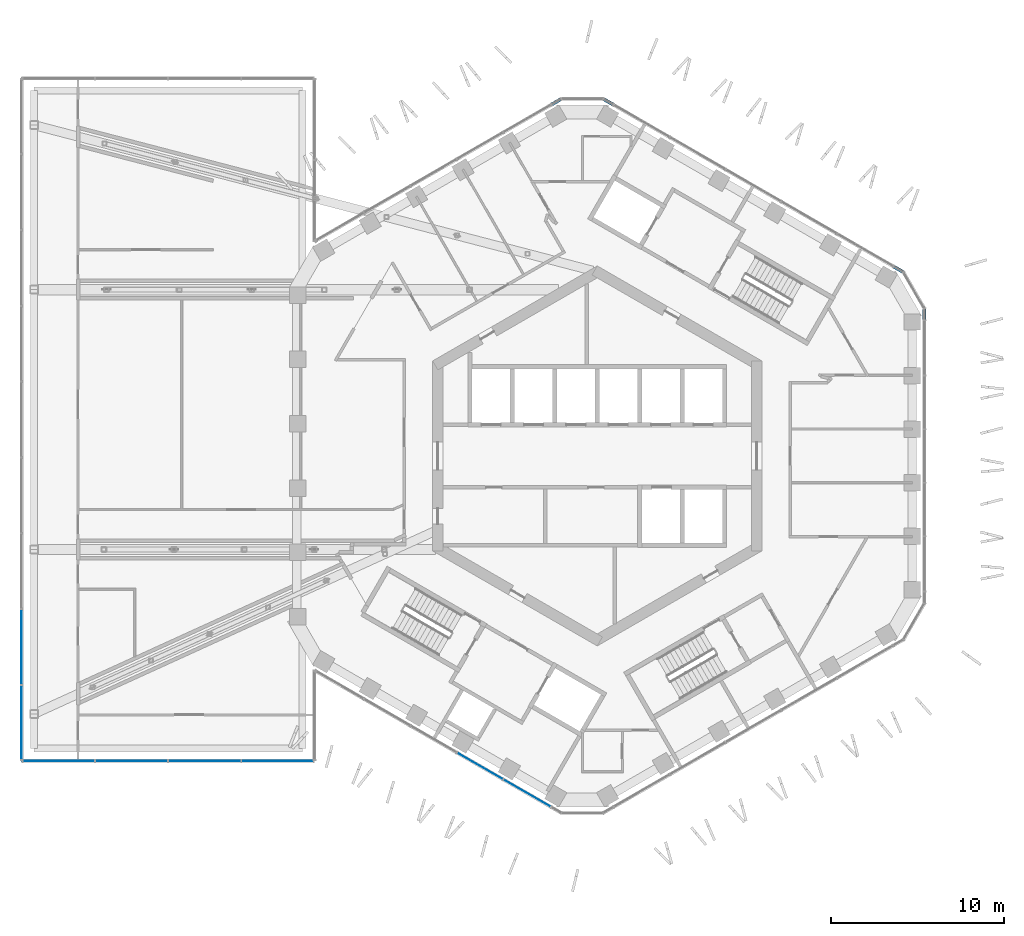
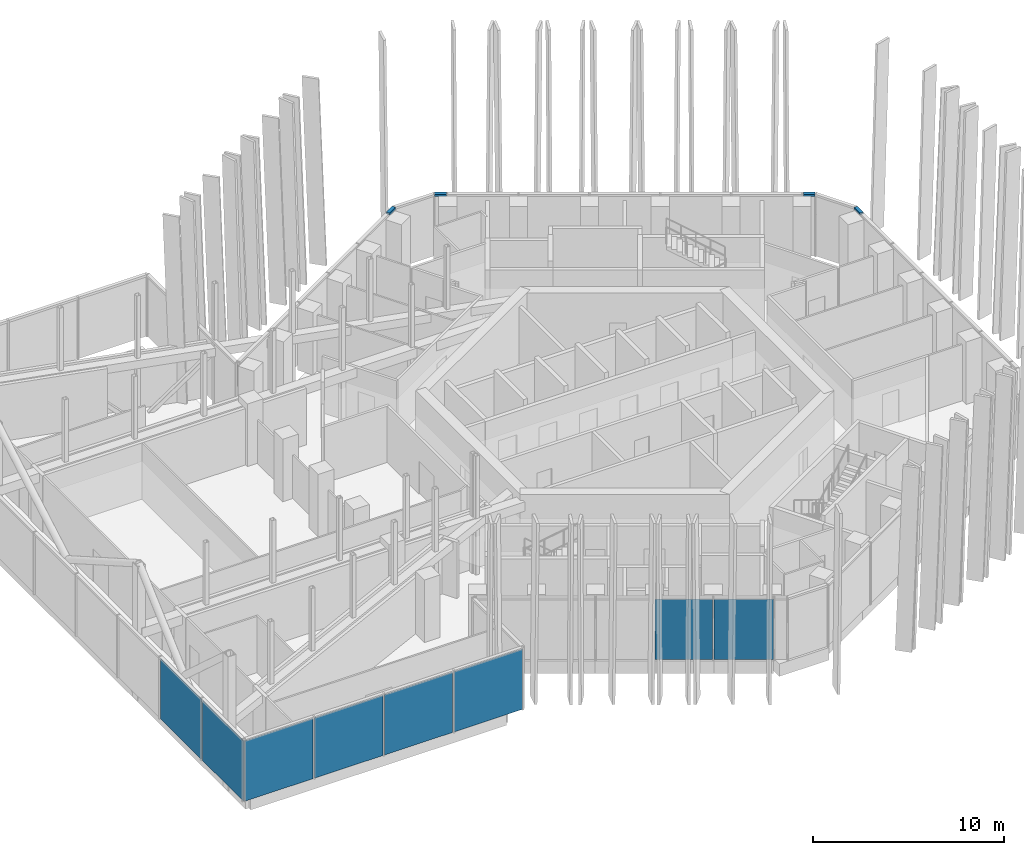
# One storey, part 11 of 28: 8 plates, 4 members, 5 elements without a shape of their own.
"""IFC4 building model written with IfcOpenShell, lengths in metres."""

from ifc_helpers import new_model, si_unit, direction, frame, origin, origin_2d, place, context, subcontext, project, spatial, rectangle, extrude, material, layer, layer_set, material_profile, profile_set, type_object, element, aggregate, save


model = new_model("IFC4")

# Units and contexts
model_context = context("Model", 3, precision=1e-05, world=origin(), true_north=direction((0.0, 1.0)))
body_context = subcontext(model_context, "Body", "Model", "MODEL_VIEW")
ifc_project = project(units=[si_unit("LENGTHUNIT", "METRE"), si_unit("AREAUNIT", "SQUARE_METRE"), si_unit("VOLUMEUNIT", "CUBIC_METRE"), si_unit("PLANEANGLEUNIT", "RADIAN"), si_unit("MASSUNIT", "GRAM", prefix="KILO")], contexts=[model_context])

# Site, building, storey
site_placement = place(None, origin())
site = spatial("IfcSite", under=ifc_project, at=site_placement, CompositionType="ELEMENT")
building_placement = place(site_placement, origin())
building = spatial("IfcBuilding", under=site, at=building_placement, Name="Ayvan Gate Tower", CompositionType="ELEMENT")
storey_placement = place(building_placement, frame((0.0, 0.0, 202.10009765625)))
storey = spatial("IfcBuildingStorey", under=building, at=storey_placement, Name="L54", CompositionType="ELEMENT", Elevation=202.10009765625)

# Curtain wall, members
ifc_material_1 = material(Name="Bronze anodised aluminium", Category="aluminium")
ifc_layer_1 = layer(ifc_material_1, 0.199951171875)
ifc_layer_set_1 = layer_set([ifc_layer_1], Name="Bronze anodised aluminium")
curtain_wall_type_1 = type_object("IfcCurtainWallType", Name="Stick curtain wall CW-6", PredefinedType="NOTDEFINED", material=ifc_layer_set_1)
curtain_wall_1_placement = place(storey_placement, origin())
curtain_wall_1 = element("IfcCurtainWall", 1, at=curtain_wall_1_placement, inside=storey, type_object=curtain_wall_type_1, Name="Stick curtain wall CW-6 L54", PredefinedType="NOTDEFINED")
ifc_material_profile = material_profile(ifc_material_1, rectangle(XDim=0.199951171875, YDim=0.1201171875, at=origin_2d()), Name="Stick curtain wall CW-6 transom 200 x 120")
ifc_profile_set = profile_set([ifc_material_profile], Name="Bronze anodised aluminium")
member_type = type_object("IfcMemberType", Name="Stick curtain wall CW-6 transom 200 x 120", PredefinedType="USERDEFINED", material=ifc_profile_set)
member_1_placement = place(storey_placement, frame((18.886474609375, 7.864501953125, 3.93994140625), z_axis=(0.0, 1.0, 0.0), x_axis=(-1.0, 0.0, 0.0)))
member_1 = element("IfcMember", 2, at=member_1_placement, type_object=member_type, Name="CW-6 transom 1", ObjectType="TRANSOM", PredefinedType="USERDEFINED", context=body_context, shape_type="SweptSolid", body=[
    extrude(rectangle(XDim=0.199951171875, YDim=0.1201171875, at=origin_2d()), origin(), (0.0, 0.0, 1.0), 0.625),
])
member_2_placement = place(storey_placement, frame((17.65771484375, 10.617919921875, 3.93994140625), z_axis=(-0.866022959057, 0.500004234368, 0.0), x_axis=(-0.500004234368, -0.866022959057, 0.0)))
member_2 = element("IfcMember", 3, at=member_2_placement, type_object=member_type, Name="CW-6 transom 3", ObjectType="TRANSOM", PredefinedType="USERDEFINED", context=body_context, shape_type="SweptSolid", body=[
    extrude(rectangle(XDim=0.199951171875, YDim=0.1201171875, at=origin_2d()), origin(), (0.0, 0.0, 1.0), 0.625),
])
aggregate(curtain_wall_1, [member_1, member_2])

curtain_wall_2_placement = place(storey_placement, origin())
curtain_wall_2 = element("IfcCurtainWall", 4, at=curtain_wall_2_placement, inside=storey, type_object=curtain_wall_type_1, Name="Stick curtain wall CW-6 L54", PredefinedType="NOTDEFINED")
member_3_placement = place(storey_placement, frame((0.907958984375, 20.288330078125, 3.93994140625), z_axis=(-0.866022959057, 0.500004234368, 0.0), x_axis=(-0.500004234368, -0.866022959057, 0.0)))
member_3 = element("IfcMember", 5, at=member_3_placement, type_object=member_type, Name="CW-6 transom 1", ObjectType="TRANSOM", PredefinedType="USERDEFINED", context=body_context, shape_type="SweptSolid", body=[
    extrude(rectangle(XDim=0.199951171875, YDim=0.1201171875, at=origin_2d()), origin(), (0.0, 0.0, 1.0), 0.625),
])
member_4_placement = place(storey_placement, frame((-2.09130859375, 20.600830078125, 3.93994140625), z_axis=(-0.866022959057, -0.500004234368, 0.0), x_axis=(0.500004234368, -0.866022959057, 0.0)))
member_4 = element("IfcMember", 6, at=member_4_placement, type_object=member_type, Name="CW-6 transom 3", ObjectType="TRANSOM", PredefinedType="USERDEFINED", context=body_context, shape_type="SweptSolid", body=[
    extrude(rectangle(XDim=0.199951171875, YDim=0.1201171875, at=origin_2d()), origin(), (0.0, 0.0, 1.0), 0.625),
])
aggregate(curtain_wall_2, [member_3, member_4])

# Curtain wall, plates
ifc_layer_2 = layer(ifc_material_1, 0.199951171875)
ifc_layer_set_2 = layer_set([ifc_layer_2], Name="Bronze anodised aluminium")
curtain_wall_type_2 = type_object("IfcCurtainWallType", Name="Stick curtain wall CW-2", PredefinedType="NOTDEFINED", material=ifc_layer_set_2)
curtain_wall_3_placement = place(storey_placement, origin())
curtain_wall_3 = element("IfcCurtainWall", 7, at=curtain_wall_3_placement, inside=storey, type_object=curtain_wall_type_2, Name="Stick curtain wall CW-2 L54", PredefinedType="NOTDEFINED")
ifc_material_2 = material(Name="Clear low-iron laminated glass", Category="glass")
ifc_layer_3 = layer(ifc_material_2, 0.028076171875)
ifc_layer_set_3 = layer_set([ifc_layer_3], Name="Clear low-iron laminated glass")
plate_type_1 = type_object("IfcPlateType", Name="Stick curtain wall CW-2 glass panel", PredefinedType="CURTAIN_PANEL", material=ifc_layer_set_3)
plate_1_placement = place(storey_placement, frame((-6.7646484375, -17.90283203125, 0.0), z_axis=(0.0, 0.0, 1.0), x_axis=(0.866025403784, -0.5, 0.0)))
plate_1 = element("IfcPlate", 8, at=plate_1_placement, type_object=plate_type_1, Name="CW-2 glass panel 4", PredefinedType="CURTAIN_PANEL", context=body_context, shape_type="SweptSolid", body=[
    extrude(rectangle(XDim=3.02294921875, YDim=0.028076171875, at=origin_2d()), origin(), (0.0, 0.0, 1.0), 3.8798828125),
])
plate_2_placement = place(storey_placement, frame((-4.02880859375, -19.482177734375, 0.0), z_axis=(0.0, 0.0, 1.0), x_axis=(0.866025403784, -0.5, 0.0)))
plate_2 = element("IfcPlate", 9, at=plate_2_placement, type_object=plate_type_1, Name="CW-2 glass panel 5", PredefinedType="CURTAIN_PANEL", context=body_context, shape_type="SweptSolid", body=[
    extrude(rectangle(XDim=3.15478515625, YDim=0.028076171875, at=origin_2d()), origin(), (0.0, 0.0, 1.0), 3.8798828125),
])
aggregate(curtain_wall_3, [plate_1, plate_2])

ifc_layer_4 = layer(ifc_material_1, 0.199951171875)
ifc_layer_set_4 = layer_set([ifc_layer_4], Name="Bronze anodised aluminium")
curtain_wall_type_3 = type_object("IfcCurtainWallType", Name="Stick curtain wall CW-4", PredefinedType="NOTDEFINED", material=ifc_layer_set_4)
curtain_wall_4_placement = place(storey_placement, origin())
curtain_wall_4 = element("IfcCurtainWall", 10, at=curtain_wall_4_placement, inside=storey, type_object=curtain_wall_type_3, Name="Stick curtain wall CW-4 L54", PredefinedType="NOTDEFINED")
ifc_layer_5 = layer(ifc_material_2, 0.028076171875)
ifc_layer_set_5 = layer_set([ifc_layer_5], Name="Clear low-iron laminated glass")
plate_type_2 = type_object("IfcPlateType", Name="Stick curtain wall CW-4 glass panel", PredefinedType="CURTAIN_PANEL", material=ifc_layer_set_5)
plate_3_placement = place(storey_placement, frame((-26.88671875, -17.60009765625, 0.0), z_axis=(0.0, 0.0, 1.0), x_axis=(1.0, 0.0, 0.0)))
plate_3 = element("IfcPlate", 11, at=plate_3_placement, type_object=plate_type_2, Name="CW-4 glass panel 2", PredefinedType="CURTAIN_PANEL", context=body_context, shape_type="SweptSolid", body=[
    extrude(rectangle(XDim=4.14501953125, YDim=0.028076171875, at=origin_2d()), origin(), (0.0, 0.0, 1.0), 3.860107421875),
])
plate_4_placement = place(storey_placement, frame((-18.436767578125, -17.60009765625, 0.0), z_axis=(0.0, 0.0, 1.0), x_axis=(1.0, 0.0, 0.0)))
plate_4 = element("IfcPlate", 12, at=plate_4_placement, type_object=plate_type_2, Name="CW-4 glass panel 4", PredefinedType="CURTAIN_PANEL", context=body_context, shape_type="SweptSolid", body=[
    extrude(rectangle(XDim=4.14501953125, YDim=0.028076171875, at=origin_2d()), origin(), (0.0, 0.0, 1.0), 3.860107421875),
])

curtain_wall_5_placement = place(storey_placement, origin())
curtain_wall_5 = element("IfcCurtainWall", 13, at=curtain_wall_5_placement, inside=storey, type_object=curtain_wall_type_3, Name="Stick curtain wall CW-4 L54", PredefinedType="NOTDEFINED")
ifc_material_3 = material(Name="Pale anodised aluminium composite panel", Category="aluminium")
ifc_layer_6 = layer(ifc_material_3, 0.028076171875)
ifc_layer_set_6 = layer_set([ifc_layer_6], Name="Pale anodised aluminium composite panel")
plate_type_3 = type_object("IfcPlateType", Name="Stick curtain wall CW-4 solid panel", PredefinedType="CURTAIN_PANEL", material=ifc_layer_set_6)
plate_5_placement = place(storey_placement, frame((-33.224365234375, -11.033447265625, 0.0), z_axis=(0.0, 0.0, 1.0), x_axis=(0.0, -1.0, 0.0)))
plate_5 = element("IfcPlate", 14, at=plate_5_placement, type_object=plate_type_3, Name="CW-4 solid panel 8", PredefinedType="CURTAIN_PANEL", context=body_context, shape_type="SweptSolid", body=[
    extrude(rectangle(XDim=4.2978515625, YDim=0.028076171875, at=origin_2d()), origin(), (0.0, 0.0, 1.0), 3.860107421875),
])
plate_6_placement = place(storey_placement, frame((-33.224365234375, -15.4111328125, 0.0), z_axis=(0.0, 0.0, 1.0), x_axis=(0.0, -1.0, 0.0)))
plate_6 = element("IfcPlate", 15, at=plate_6_placement, type_object=plate_type_3, Name="CW-4 solid panel 9", PredefinedType="CURTAIN_PANEL", context=body_context, shape_type="SweptSolid", body=[
    extrude(rectangle(XDim=4.2978515625, YDim=0.028076171875, at=origin_2d()), origin(), (0.0, 0.0, 1.0), 3.860107421875),
])
aggregate(curtain_wall_5, [plate_5, plate_6])

# Plate
plate_7_placement = place(storey_placement, frame((-31.11181640625, -17.60009765625, 0.0), z_axis=(0.0, 0.0, 1.0), x_axis=(1.0, 0.0, 0.0)))
plate_7 = element("IfcPlate", 16, at=plate_7_placement, type_object=plate_type_3, Name="CW-4 solid panel 1", PredefinedType="CURTAIN_PANEL", context=body_context, shape_type="SweptSolid", body=[
    extrude(rectangle(XDim=4.14501953125, YDim=0.028076171875, at=origin_2d()), origin(), (0.0, 0.0, 1.0), 3.860107421875),
])

plate_8_placement = place(storey_placement, frame((-22.661865234375, -17.60009765625, 0.0), z_axis=(0.0, 0.0, 1.0), x_axis=(1.0, 0.0, 0.0)))
plate_8 = element("IfcPlate", 17, at=plate_8_placement, type_object=plate_type_3, Name="CW-4 solid panel 3", PredefinedType="CURTAIN_PANEL", context=body_context, shape_type="SweptSolid", body=[
    extrude(rectangle(XDim=4.14501953125, YDim=0.028076171875, at=origin_2d()), origin(), (0.0, 0.0, 1.0), 3.860107421875),
])

aggregate(curtain_wall_4, [plate_7, plate_3, plate_8, plate_4])

save(model, "model.ifc")
